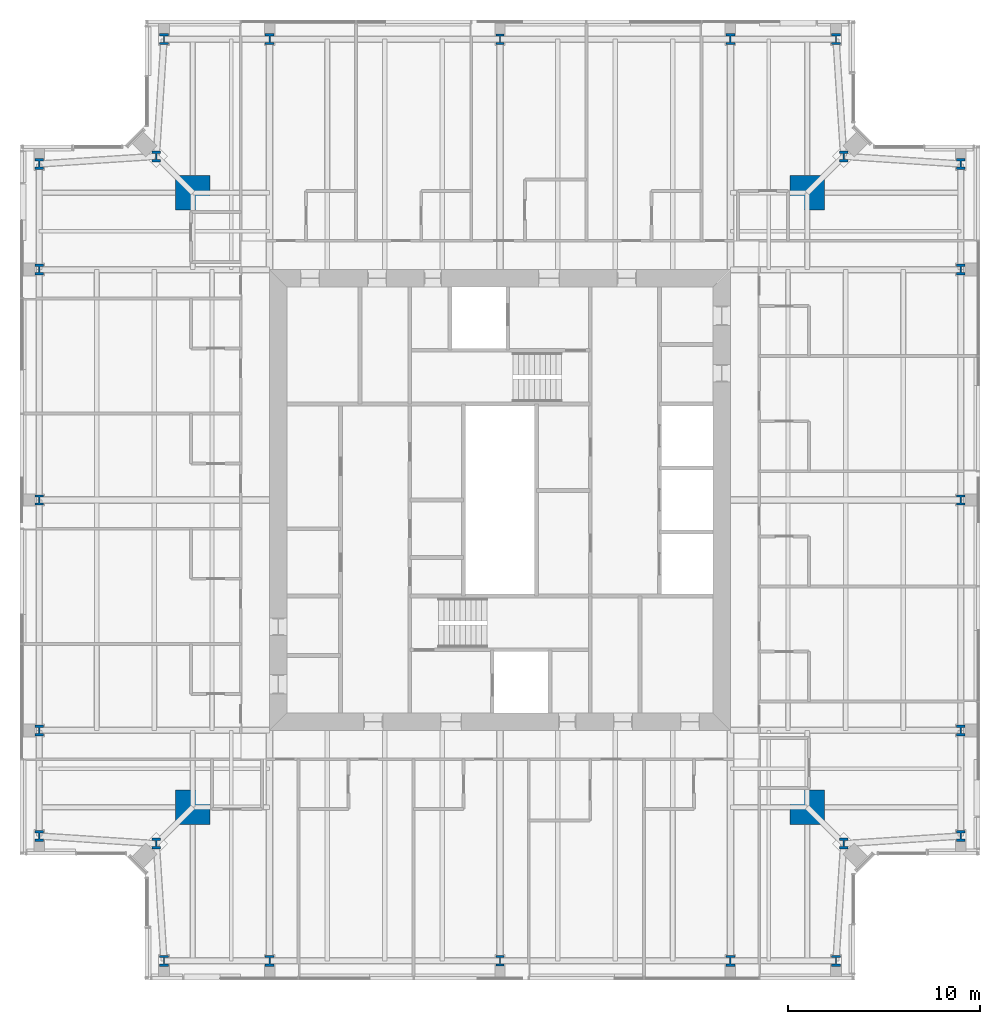
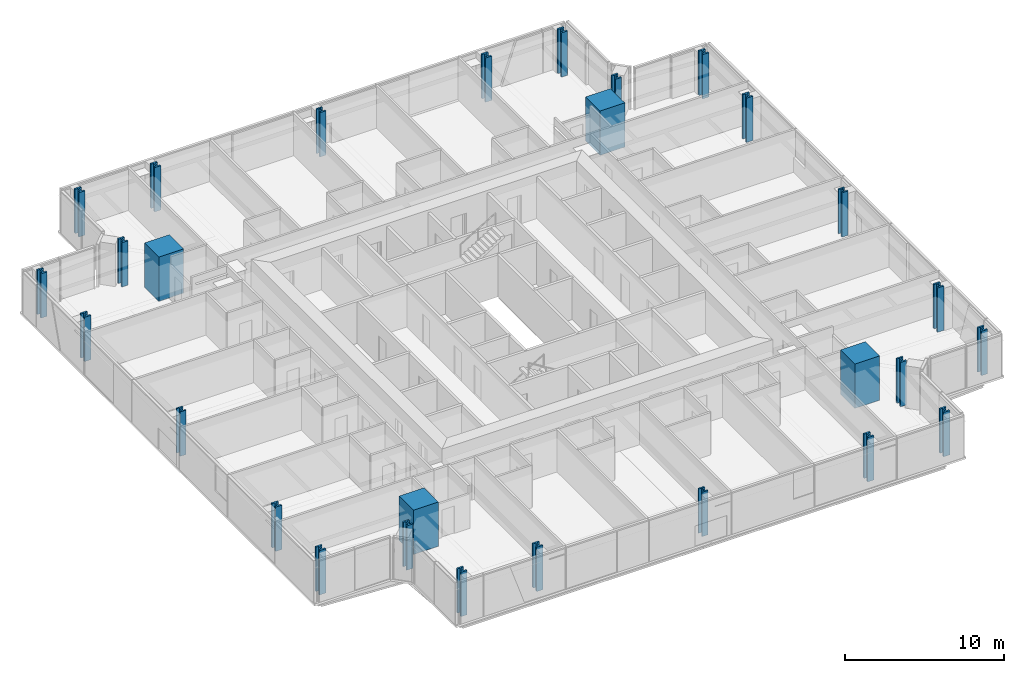
# One storey, part 1 of 20: 28 columns.
"""IFC4 building model written with IfcOpenShell, lengths in metres."""

from ifc_helpers import new_model, si_unit, direction, frame, origin, origin_2d, place, context, subcontext, project, spatial, rectangle, i_section, extrude, material, material_profile, profile_set, type_object, element, save


model = new_model("IFC4")

# Units and contexts
model_context = context("Model", 3, precision=1e-05, world=origin(), true_north=direction((0.0, 1.0)))
body_context = subcontext(model_context, "Body", "Model", "MODEL_VIEW")
ifc_project = project(units=[si_unit("LENGTHUNIT", "METRE"), si_unit("AREAUNIT", "SQUARE_METRE"), si_unit("VOLUMEUNIT", "CUBIC_METRE"), si_unit("PLANEANGLEUNIT", "RADIAN"), si_unit("MASSUNIT", "GRAM", prefix="KILO")], contexts=[model_context])

# Site, building, storey
site_placement = place(None, origin())
site = spatial("IfcSite", under=ifc_project, at=site_placement, CompositionType="ELEMENT")
building_placement = place(site_placement, origin())
building = spatial("IfcBuilding", under=site, at=building_placement, Name="Fenwick Lantern Interchange", CompositionType="ELEMENT")
storey_placement = place(building_placement, frame((0.0, 0.0, 249.199951171875)))
storey = spatial("IfcBuildingStorey", under=building, at=storey_placement, Name="L58", CompositionType="ELEMENT", Elevation=249.199951171875)

# Columns
ifc_material_1 = material(Name="Concrete f'c 70 MPa", Category="concrete")
ifc_material_profile_1 = material_profile(ifc_material_1, rectangle(XDim=1.800048828125, YDim=1.800048828125, at=origin_2d()), Name="RC1800X1800")
ifc_profile_set_1 = profile_set([ifc_material_profile_1], Name="Concrete f'c 70 MPa")
column_type_1 = type_object("IfcColumnType", Name="MEGA COLUMN RC1800X1800", PredefinedType="COLUMN", material=ifc_profile_set_1)
for number, where, z_axis, x_axis, name in (
    (1, (9.0, 9.0, 0.0), (0.0, 0.0, 1.0), (1.0, 0.0, 0.0), "L58/M1"),
    (2, (41.0, 9.0, 0.0), (0.0, 0.0, 1.0), (1.0, 0.0, 0.0), "L58/M2"),
    (3, (41.0, 41.0, 0.0), (0.0, 0.0, 1.0), (1.0, 0.0, 0.0), "L58/M3"),
    (4, (9.0, 41.0, 0.0), (0.0, 0.0, 1.0), (1.0, 0.0, 0.0), "L58/M4"),
):
    element("IfcColumn", number, at=place(storey_placement, frame(where, z_axis=z_axis, x_axis=x_axis)), inside=storey, type_object=column_type_1, Name=name, PredefinedType="COLUMN", context=body_context, shape_type="SweptSolid", body=[
        extrude(rectangle(XDim=1.800048828125, YDim=1.800048828125, at=origin_2d()), origin(), (0.0, 0.0, 1.0), 3.400146484375),
    ])
ifc_material_2 = material(Name="Steel ASTM A992 Grade 50", Category="steel")
ifc_material_profile_2 = material_profile(ifc_material_2, i_section(OverallWidth=0.44189453125, OverallDepth=0.53076171875, WebThickness=0.06591796875, FlangeThickness=0.105712890625, at=origin_2d()), Name="W14X605")
ifc_profile_set_2 = profile_set([ifc_material_profile_2], Name="Steel ASTM A992 Grade 50")
column_type_2 = type_object("IfcColumnType", Name="PERIMETER COLUMN W14X605", PredefinedType="COLUMN", material=ifc_profile_set_2)
for number, where, z_axis, x_axis, name in (
    (5, (25.0, 1.0, 0.0), (0.0, 0.0, 1.0), (1.0, 0.0, 0.0), "L58/CS3"),
    (6, (49.0, 25.0, 0.0), (0.0, 0.0, 1.0), (1.0, 0.0, 0.0), "L58/CE3"),
    (7, (25.0, 49.0, 0.0), (0.0, 0.0, 1.0), (1.0, 0.0, 0.0), "L58/CN3"),
    (8, (1.0, 25.0, 0.0), (0.0, 0.0, 1.0), (1.0, 0.0, 0.0), "L58/CW3"),
):
    element("IfcColumn", number, at=place(storey_placement, frame(where, z_axis=z_axis, x_axis=x_axis)), inside=storey, type_object=column_type_2, Name=name, PredefinedType="COLUMN", context=body_context, shape_type="SweptSolid", body=[
        extrude(i_section(OverallWidth=0.44189453125, OverallDepth=0.53076171875, WebThickness=0.06591796875, FlangeThickness=0.105712890625, at=origin_2d()), origin(), (0.0, 0.0, 1.0), 3.400146484375),
    ])
ifc_material_profile_3 = material_profile(ifc_material_2, i_section(OverallWidth=0.45458984375, OverallDepth=0.56884765625, WebThickness=0.077880859375, FlangeThickness=0.124755859375, at=origin_2d()), Name="W14X730")
ifc_profile_set_3 = profile_set([ifc_material_profile_3], Name="Steel ASTM A992 Grade 50")
column_type_3 = type_object("IfcColumnType", Name="PERIMETER COLUMN W14X730", PredefinedType="COLUMN", material=ifc_profile_set_3)
for number, where, z_axis, x_axis, name in (
    (9, (7.5, 1.0, 0.0), (0.0, 0.0, 1.0), (1.0, 0.0, 0.0), "L58/CS1"),
    (10, (13.0, 1.0, 0.0), (0.0, 0.0, 1.0), (1.0, 0.0, 0.0), "L58/CS2"),
    (11, (37.0, 1.0, 0.0), (0.0, 0.0, 1.0), (1.0, 0.0, 0.0), "L58/CS4"),
    (12, (42.5, 1.0, 0.0), (0.0, 0.0, 1.0), (1.0, 0.0, 0.0), "L58/CS5"),
    (13, (42.89990234375, 7.10009765625, 0.0), (0.0, 0.0, 1.0), (1.0, 0.0, 0.0), "L58/CSR"),
    (14, (49.0, 7.5, 0.0), (0.0, 0.0, 1.0), (1.0, 0.0, 0.0), "L58/CE1"),
    (15, (49.0, 13.0, 0.0), (0.0, 0.0, 1.0), (1.0, 0.0, 0.0), "L58/CE2"),
    (16, (49.0, 37.0, 0.0), (0.0, 0.0, 1.0), (1.0, 0.0, 0.0), "L58/CE4"),
    (17, (49.0, 42.5, 0.0), (0.0, 0.0, 1.0), (1.0, 0.0, 0.0), "L58/CE5"),
    (18, (42.89990234375, 42.89990234375, 0.0), (0.0, 0.0, 1.0), (1.0, 0.0, 0.0), "L58/CER"),
    (19, (42.5, 49.0, 0.0), (0.0, 0.0, 1.0), (1.0, 0.0, 0.0), "L58/CN1"),
    (20, (37.0, 49.0, 0.0), (0.0, 0.0, 1.0), (1.0, 0.0, 0.0), "L58/CN2"),
    (21, (13.0, 49.0, 0.0), (0.0, 0.0, 1.0), (1.0, 0.0, 0.0), "L58/CN4"),
    (22, (7.5, 49.0, 0.0), (0.0, 0.0, 1.0), (1.0, 0.0, 0.0), "L58/CN5"),
    (23, (7.10009765625, 42.89990234375, 0.0), (0.0, 0.0, 1.0), (1.0, 0.0, 0.0), "L58/CNR"),
    (24, (1.0, 42.5, 0.0), (0.0, 0.0, 1.0), (1.0, 0.0, 0.0), "L58/CW1"),
    (25, (1.0, 37.0, 0.0), (0.0, 0.0, 1.0), (1.0, 0.0, 0.0), "L58/CW2"),
    (26, (1.0, 13.0, 0.0), (0.0, 0.0, 1.0), (1.0, 0.0, 0.0), "L58/CW4"),
    (27, (1.0, 7.5, 0.0), (0.0, 0.0, 1.0), (1.0, 0.0, 0.0), "L58/CW5"),
    (28, (7.10009765625, 7.10009765625, 0.0), (0.0, 0.0, 1.0), (1.0, 0.0, 0.0), "L58/CWR"),
):
    element("IfcColumn", number, at=place(storey_placement, frame(where, z_axis=z_axis, x_axis=x_axis)), inside=storey, type_object=column_type_3, Name=name, PredefinedType="COLUMN", context=body_context, shape_type="SweptSolid", body=[
        extrude(i_section(OverallWidth=0.45458984375, OverallDepth=0.56884765625, WebThickness=0.077880859375, FlangeThickness=0.124755859375, at=origin_2d()), origin(), (0.0, 0.0, 1.0), 3.400146484375),
    ])

save(model, "model.ifc")
